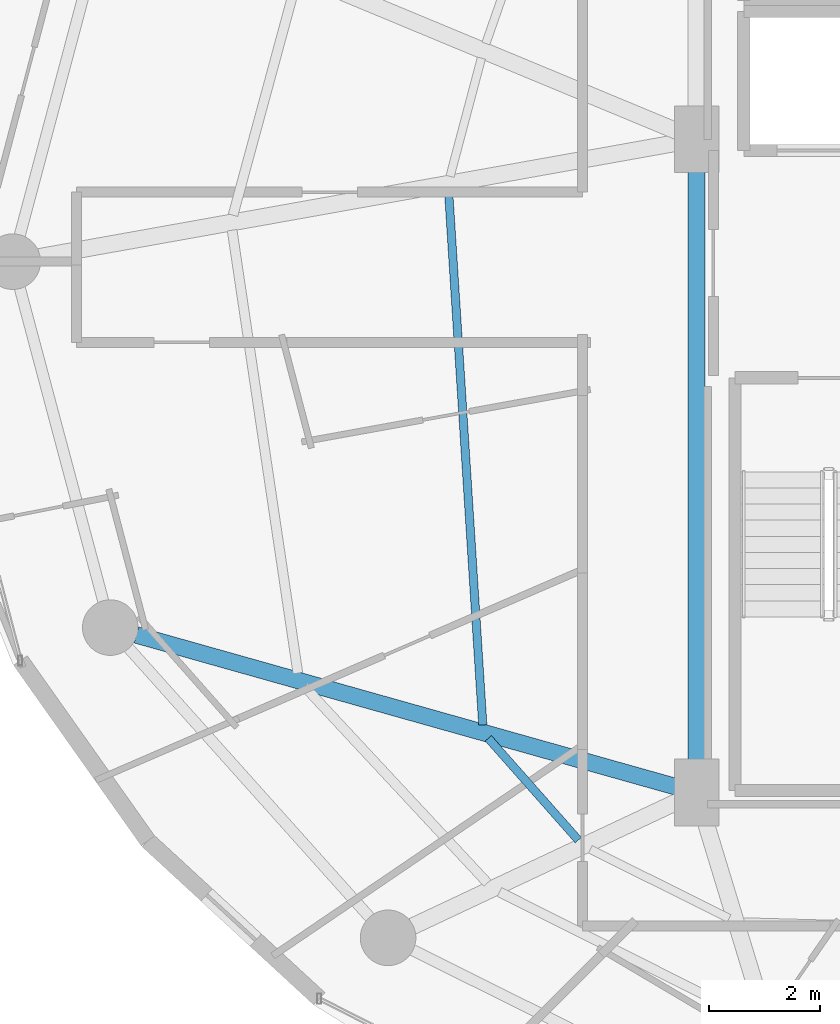
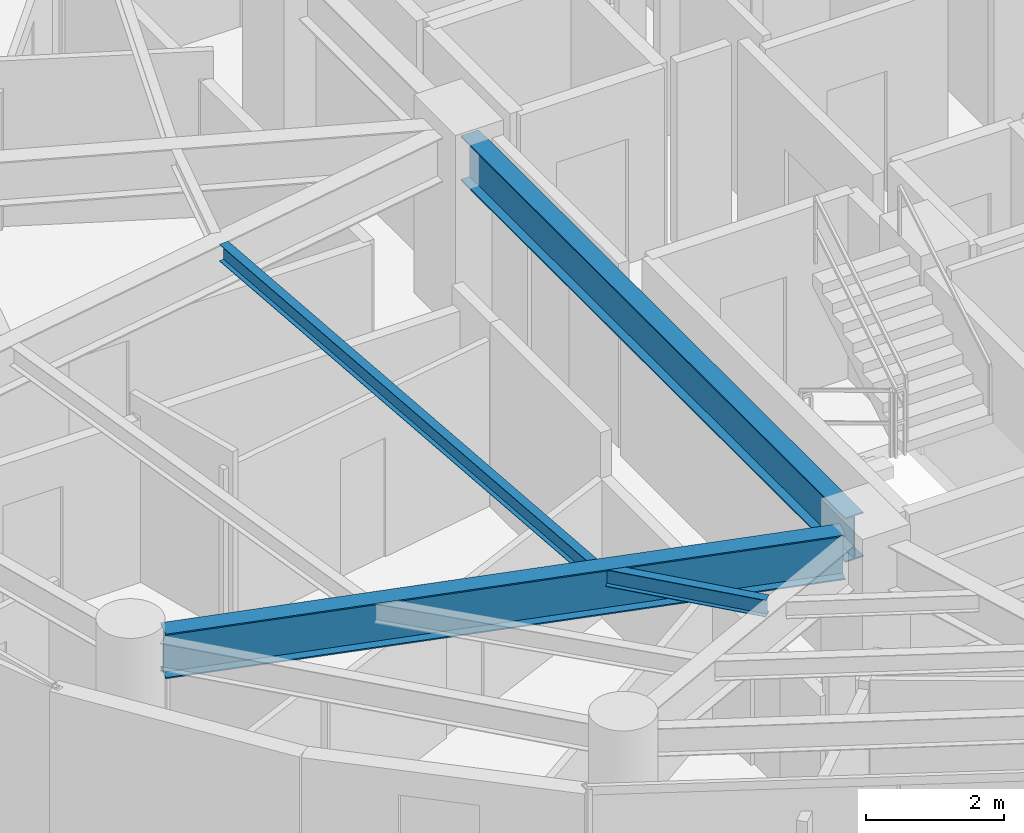
# One storey, part 4 of 31: 4 beams.
"""IFC4 building model written with IfcOpenShell, lengths in metres."""

import ifcopenshell
import ifcopenshell.guid

model = None  # the IFC model being written
_history = None  # IfcOwnerHistory: only IFC2X3 demands one
_inside = {}  # id of a spatial element -> (the spatial element, [elements in it])
_under = {}  # id of a project, library or spatial element -> (it, [spatial elements below it])
_declared = {}  # id of a project -> (the project, [libraries it declares])
_typed = {}  # id of a type object -> (the type object, [elements of that type])
_made_of = {}  # id of a material, layer set ... -> (it, [elements and type objects made of it])


def new_model(schema):
    """Start an empty IFC model of exactly this schema.

    Asked for "IFC4X3", IfcOpenShell would pick the latest addendum, in which some entities
    have other attributes; the version numbers below select the first issue.
    IFC2X3 requires an IfcOwnerHistory on every rooted entity: one is made here for all.
    """
    global model, _history
    if schema == "IFC4X3":
        model = ifcopenshell.file(schema_version=(4, 3, 0, 0))
    else:
        model = ifcopenshell.file(schema=schema)
    _inside.clear()
    _under.clear()
    _declared.clear()
    _typed.clear()
    _made_of.clear()
    _history = None
    if model.schema == "IFC2X3":
        org = make("IfcOrganization", Name="unknown")
        user = make(
            "IfcPersonAndOrganization",
            ThePerson=make("IfcPerson", FamilyName="unknown"),
            TheOrganization=org,
        )
        app = make(
            "IfcApplication",
            ApplicationDeveloper=org,
            Version="unknown",
            ApplicationFullName="unknown",
            ApplicationIdentifier="unknown",
        )
        _history = make(
            "IfcOwnerHistory",
            OwningUser=user,
            OwningApplication=app,
            ChangeAction="ADDED",
            CreationDate=0,
        )
    return model


def make(cls, **values):
    """One entity of the class cls with the attributes given. An attribute that is None is left unset."""
    return model.create_entity(
        cls, **{name: value for name, value in values.items() if value is not None}
    )


def rooted(cls, **values):
    """An entity with a GlobalId (a new one), such as an element, a storey or a relation."""
    return make(cls, GlobalId=ifcopenshell.guid.new(), OwnerHistory=_history, **values)


def si_unit(unit_type, name, prefix=None):
    """IfcSIUnit, for example si_unit("LENGTHUNIT", "METRE", prefix="MILLI")."""
    return make("IfcSIUnit", UnitType=unit_type, Prefix=prefix, Name=name)


def assignment(units):
    """IfcUnitAssignment: the units of a project."""
    return None if units is None else make("IfcUnitAssignment", Units=units)


def point(xyz):
    """IfcCartesianPoint."""
    return None if xyz is None else make("IfcCartesianPoint", Coordinates=xyz)


def direction(xyz):
    """IfcDirection."""
    return None if xyz is None else make("IfcDirection", DirectionRatios=xyz)


def frame(location, z_axis=None, x_axis=None):
    """IfcAxis2Placement3D, a coordinate frame: its origin and axes. An axis left out is left unset."""
    return make(
        "IfcAxis2Placement3D",
        Location=point(location),
        Axis=direction(z_axis),
        RefDirection=direction(x_axis),
    )


def frame_2d(location, x_axis=None):
    """IfcAxis2Placement2D, a coordinate frame in the plane: its origin and x axis."""
    return make(
        "IfcAxis2Placement2D", Location=point(location), RefDirection=direction(x_axis)
    )


def origin():
    """The frame at (0, 0, 0) with its axes left unset."""
    return frame((0.0, 0.0, 0.0))


def origin_2d():
    """The frame at (0, 0) in the plane with its x axis left unset."""
    return frame_2d((0.0, 0.0))


def place(relative_to, where):
    """IfcLocalPlacement: puts the frame where relative to a parent placement (None: the world)."""
    return make(
        "IfcLocalPlacement", PlacementRelTo=relative_to, RelativePlacement=where
    )


def context(
    kind, dimensions, precision=None, world=None, true_north=None, identifier=None
):
    """IfcGeometricRepresentationContext, for example the 3D "Model" context."""
    return make(
        "IfcGeometricRepresentationContext",
        ContextIdentifier=identifier,
        ContextType=kind,
        CoordinateSpaceDimension=dimensions,
        Precision=precision,
        WorldCoordinateSystem=world,
        TrueNorth=true_north,
    )


def subcontext(parent, identifier, kind, view, scale=None):
    """IfcGeometricRepresentationSubContext, for example "Body" below "Model"."""
    return make(
        "IfcGeometricRepresentationSubContext",
        ContextIdentifier=identifier,
        ContextType=kind,
        ParentContext=parent,
        TargetScale=scale,
        TargetView=view,
    )


def project(units=None, contexts=None):
    """IfcProject with its units and contexts."""
    return rooted(
        "IfcProject",
        Name="project",
        RepresentationContexts=contexts,
        UnitsInContext=assignment(units),
    )


def spatial(cls, under=None, at=None, **own):
    """A site, building, storey or space (cls), placed at a placement, below another one or the project."""
    s = rooted(cls, ObjectPlacement=at, **own)
    if under is not None:
        _under.setdefault(under.id(), (under, []))[1].append(s)
    return s


def profile(cls, at=None, kind="AREA", **sizes):
    """A parametric profile (cls). Its sizes go by their IFC names, for example OverallWidth=200.0."""
    return make(cls, ProfileType=kind, Position=at, **sizes)


def i_section(**sizes):
    """IfcIShapeProfileDef."""
    return profile("IfcIShapeProfileDef", **sizes)


def extrude(swept, where, along, depth):
    """IfcExtrudedAreaSolid: the profile swept, set in the frame where, extruded along a direction by depth."""
    return make(
        "IfcExtrudedAreaSolid",
        SweptArea=swept,
        Position=where,
        ExtrudedDirection=direction(along),
        Depth=depth,
    )


def shape(context_of_items, identifier, shape_type, items):
    """IfcShapeRepresentation: the items that make up one representation, for example the "Body"."""
    return make(
        "IfcShapeRepresentation",
        ContextOfItems=context_of_items,
        RepresentationIdentifier=identifier,
        RepresentationType=shape_type,
        Items=items,
    )


def material(Name=None, Category=None):
    """IfcMaterial."""
    return make("IfcMaterial", Name=Name, Category=Category)


def material_profile(
    of_material, cross_section, Name=None, Category=None, Priority=None
):
    """IfcMaterialProfile: a cross section and its material."""
    return make(
        "IfcMaterialProfile",
        Name=Name,
        Material=of_material,
        Profile=cross_section,
        Priority=Priority,
        Category=Category,
    )


def profile_set(profiles, Name=None, composite=None):
    """IfcMaterialProfileSet."""
    return make(
        "IfcMaterialProfileSet",
        Name=Name,
        MaterialProfiles=profiles,
        CompositeProfile=composite,
    )


def made_of(thing, what):
    """Note that an element or type object is made of a material, layer set ...; save() writes the relation."""
    if what is not None:
        _made_of.setdefault(what.id(), (what, []))[1].append(thing)
    return thing


def type_object(cls, material=None, **own):
    """A type object (cls), such as IfcWallType, which elements share."""
    return made_of(rooted(cls, **own), material)


def element(
    cls,
    number,
    at=None,
    inside=None,
    cuts=None,
    type_object=None,
    material=None,
    context=None,
    identifier="Body",
    shape_type=None,
    held_by="IfcProductDefinitionShape",
    body=None,
    shapes=None,
    **own,
):
    """One element of the class cls, such as IfcWall. Its Tag is "e" and its number.

    at: its placement. inside: the storey or other place that contains it. cuts: it is an
    opening in that element (IfcRelVoidsElement). A single representation is given by context,
    identifier, shape_type and body (its items); several are given by shapes. held_by: the class
    of the entity that holds the representations. save() writes the other relations.
    """
    e = rooted(cls, Tag="e%d" % number, ObjectPlacement=at, **own)
    if body is not None:
        shapes = [shape(context, identifier, shape_type, body)]
    if shapes is not None:
        e.Representation = make(held_by, Representations=shapes)
    if inside is not None:
        _inside.setdefault(inside.id(), (inside, []))[1].append(e)
    if cuts is not None:
        rooted(
            "IfcRelVoidsElement", RelatingBuildingElement=cuts, RelatedOpeningElement=e
        )
    if type_object is not None:
        _typed.setdefault(type_object.id(), (type_object, []))[1].append(e)
    return made_of(e, material)


def aggregate(whole, parts):
    """IfcRelAggregates: a whole, such as a stair, and the parts it consists of."""
    return rooted("IfcRelAggregates", RelatingObject=whole, RelatedObjects=parts)


def save(model, path):
    """Write the relations noted so far, then the file.

    IfcRelAggregates (storeys below a building ...), IfcRelContainedInSpatialStructure (elements
    in a storey), IfcRelDefinesByType, IfcRelAssociatesMaterial and IfcRelDeclares: one each for
    every whole, place, type object, material and project.
    """
    for whole, parts in _under.values():
        aggregate(whole, parts)
    for where, things in _inside.values():
        rooted(
            "IfcRelContainedInSpatialStructure",
            RelatedElements=things,
            RelatingStructure=where,
        )
    for kind, things in _typed.values():
        rooted("IfcRelDefinesByType", RelatedObjects=things, RelatingType=kind)
    for what, things in _made_of.values():
        rooted("IfcRelAssociatesMaterial", RelatedObjects=things, RelatingMaterial=what)
    for by, libraries in _declared.values():
        rooted("IfcRelDeclares", RelatingContext=by, RelatedDefinitions=libraries)
    model.write(path)


model = new_model("IFC4")

# Units and contexts
model_context = context("Model", 3, precision=1e-05, world=origin(), true_north=direction((0.0, 1.0)))
body_context = subcontext(model_context, "Body", "Model", "MODEL_VIEW")
ifc_project = project(units=[si_unit("LENGTHUNIT", "METRE"), si_unit("AREAUNIT", "SQUARE_METRE"), si_unit("VOLUMEUNIT", "CUBIC_METRE"), si_unit("PLANEANGLEUNIT", "RADIAN"), si_unit("MASSUNIT", "GRAM", prefix="KILO")], contexts=[model_context])

# Site, building, storey
site_placement = place(None, origin())
site = spatial("IfcSite", under=ifc_project, at=site_placement, CompositionType="ELEMENT")
building_placement = place(site_placement, origin())
building = spatial("IfcBuilding", under=site, at=building_placement, Name="Vorneva Point Tower", CompositionType="ELEMENT")
storey_placement = place(building_placement, frame((0.0, 0.0, 132.60009765625)))
storey = spatial("IfcBuildingStorey", under=building, at=storey_placement, Name="L35", CompositionType="ELEMENT", Elevation=132.60009765625)

# Beams
ifc_material = material(Name="Steel S355", Category="steel")
ifc_material_profile_1 = material_profile(ifc_material, i_section(OverallWidth=0.300048828125, OverallDepth=0.7880859375, WebThickness=0.014404296875, FlangeThickness=0.02197265625, at=origin_2d()), Name="80Sh1")
ifc_profile_set_1 = profile_set([ifc_material_profile_1], Name="Steel S355")
beam_type_1 = type_object("IfcBeamType", Name="BM-GRD-80Sh1", PredefinedType="USERDEFINED", material=ifc_profile_set_1)
beam_1_placement = place(storey_placement, frame((17.17431640625, 19.28564453125, 2.845947265625), z_axis=(0.96260085362, -0.270923599213, 0.0), x_axis=(0.270923599213, 0.96260085362, 0.0)))
element("IfcBeam", 1, at=beam_1_placement, inside=storey, type_object=beam_type_1, Name="L35 Radial Primary Girder 10", ObjectType="GIRDER", PredefinedType="USERDEFINED", context=body_context, shape_type="SweptSolid", body=[
    extrude(i_section(OverallWidth=0.300048828125, OverallDepth=0.7880859375, WebThickness=0.014404296875, FlangeThickness=0.02197265625, at=origin_2d()), origin(), (0.0, 0.0, 1.0), 10.126953125),
])
beam_2_placement = place(storey_placement, frame((27.25, 16.77001953125, 2.845947265625), z_axis=(0.0, 1.0, 0.0), x_axis=(-1.0, 0.0, 0.0)))
element("IfcBeam", 2, at=beam_2_placement, inside=storey, type_object=beam_type_1, Name="L35 Core Tie Girder CT1", ObjectType="GIRDER", PredefinedType="USERDEFINED", context=body_context, shape_type="SweptSolid", body=[
    extrude(i_section(OverallWidth=0.300048828125, OverallDepth=0.7880859375, WebThickness=0.014404296875, FlangeThickness=0.02197265625, at=origin_2d()), origin(), (0.0, 0.0, 1.0), 11.10986328125),
])
ifc_material_profile_2 = material_profile(ifc_material, i_section(OverallWidth=0.14892578125, OverallDepth=0.298095703125, WebThickness=0.005615234375, FlangeThickness=0.008056640625, at=origin_2d()), Name="30B1")
ifc_profile_set_2 = profile_set([ifc_material_profile_2], Name="Steel S355")
beam_type_2 = type_object("IfcBeamType", Name="BM-JST-30B1", PredefinedType="JOIST", material=ifc_profile_set_2)
beam_3_placement = place(storey_placement, frame((22.78955078125, 27.262939453125, 3.0908203125), z_axis=(0.063960566948, -0.99795242666, 0.0), x_axis=(0.99795242666, 0.063960566948, 0.0)))
element("IfcBeam", 3, at=beam_3_placement, inside=storey, type_object=beam_type_2, Name="L35 Secondary Floor Beam 2.09", PredefinedType="JOIST", context=body_context, shape_type="SweptSolid", body=[
    extrude(i_section(OverallWidth=0.14892578125, OverallDepth=0.298095703125, WebThickness=0.005615234375, FlangeThickness=0.008056640625, at=origin_2d()), origin(), (0.0, 0.0, 1.0), 9.615234375),
])
beam_4_placement = place(storey_placement, frame((23.504638671875, 17.426513671875, 3.0908203125), z_axis=(0.662209536351, -0.74931871054, 0.0), x_axis=(0.74931871054, 0.662209536351, 0.0)))
element("IfcBeam", 4, at=beam_4_placement, inside=storey, type_object=beam_type_2, Name="L35 Secondary Floor Beam 2.10", PredefinedType="JOIST", context=body_context, shape_type="SweptSolid", body=[
    extrude(i_section(OverallWidth=0.14892578125, OverallDepth=0.298095703125, WebThickness=0.005615234375, FlangeThickness=0.008056640625, at=origin_2d()), origin(), (0.0, 0.0, 1.0), 2.44384765625),
])

save(model, "model.ifc")
